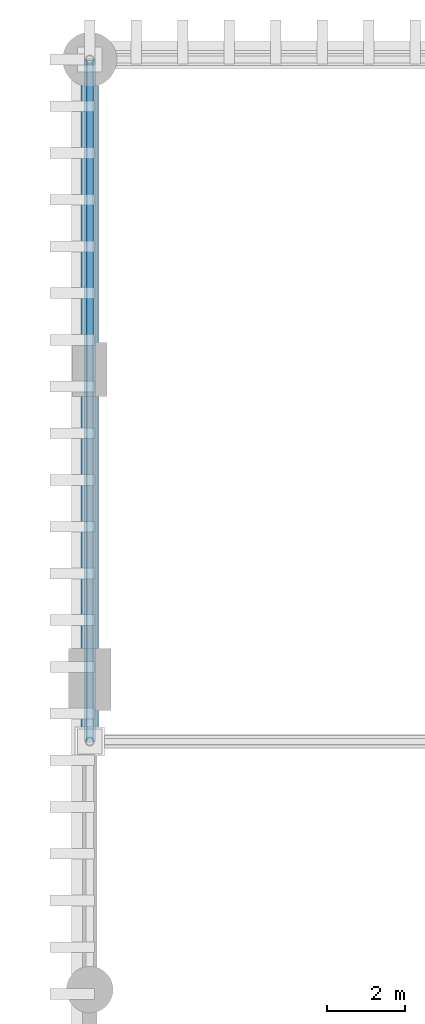
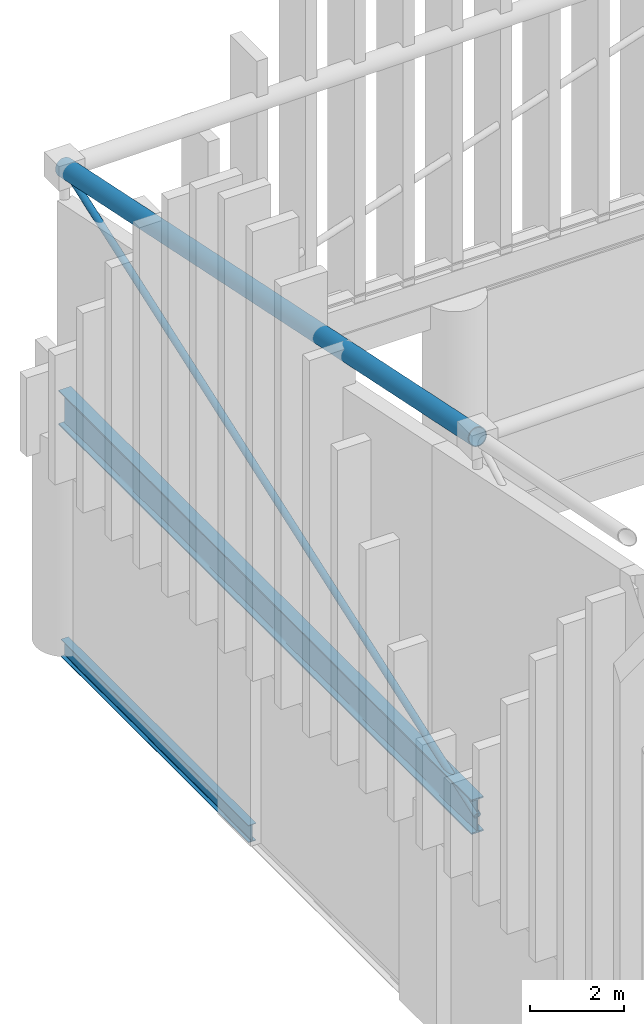
# One storey, part 122 of 193: 2 beams, 2 members.
"""IFC4 building model written with IfcOpenShell, lengths in metres."""

from ifc_helpers import new_model, si_unit, direction, frame, origin, origin_2d, place, context, subcontext, project, spatial, hollow_circle, i_section, extrude, material, material_profile, profile_set, type_object, element, save


model = new_model("IFC4")

# Units and contexts
model_context = context("Model", 3, precision=1e-05, world=origin(), true_north=direction((0.0, 1.0)))
body_context = subcontext(model_context, "Body", "Model", "MODEL_VIEW")
ifc_project = project(units=[si_unit("LENGTHUNIT", "METRE"), si_unit("AREAUNIT", "SQUARE_METRE"), si_unit("VOLUMEUNIT", "CUBIC_METRE"), si_unit("PLANEANGLEUNIT", "RADIAN"), si_unit("MASSUNIT", "GRAM", prefix="KILO")], contexts=[model_context])

# Site, building, storey
site_placement = place(None, origin())
site = spatial("IfcSite", under=ifc_project, at=site_placement, CompositionType="ELEMENT")
building_placement = place(site_placement, origin())
building = spatial("IfcBuilding", under=site, at=building_placement, Name="Danafjord Basin Convention Centre", CompositionType="ELEMENT")
storey_placement = place(building_placement, frame((0.0, 0.0, 11.39990234375)))
storey = spatial("IfcBuildingStorey", under=building, at=storey_placement, Name="L02", CompositionType="ELEMENT", Elevation=11.39990234375)

# Beams
ifc_material = material(Name="Steel S355", Category="steel")
ifc_material_profile_1 = material_profile(ifc_material, i_section(OverallWidth=0.300048828125, OverallDepth=0.89990234375, WebThickness=0.0185546875, FlangeThickness=0.034912109375, FilletRadius=0.030029296875, at=origin_2d()), Name="HEB 900")
ifc_profile_set_1 = profile_set([ifc_material_profile_1], Name="Steel S355")
beam_type_1 = type_object("IfcBeamType", Name="BEAM-BM-HEB900", PredefinedType="BEAM", material=ifc_profile_set_1)
beam_1_placement = place(storey_placement, frame((0.0, 126.39990234375, 6.050048828125), z_axis=(0.0, 1.0, 0.0), x_axis=(-1.0, 0.0, 0.0)))
element("IfcBeam", 1, at=beam_1_placement, inside=storey, type_object=beam_type_1, Name="V1 space-frame perimeter ring girder", PredefinedType="BEAM", context=body_context, shape_type="SweptSolid", body=[
    extrude(i_section(OverallWidth=0.300048828125, OverallDepth=0.89990234375, WebThickness=0.0185546875, FlangeThickness=0.034912109375, FilletRadius=0.030029296875, at=origin_2d()), origin(), (0.0, 0.0, 1.0), 17.60009765625),
])
ifc_material_profile_2 = material_profile(ifc_material, i_section(OverallWidth=0.18994140625, OverallDepth=0.449951171875, WebThickness=0.009521484375, FlangeThickness=0.0146484375, FilletRadius=0.02099609375, at=origin_2d()), Name="IPE 450")
ifc_profile_set_2 = profile_set([ifc_material_profile_2], Name="Steel S355")
beam_type_2 = type_object("IfcBeamType", Name="BEAM-SP-IPE450", PredefinedType="SPANDREL", material=ifc_profile_set_2)
beam_2_placement = place(storey_placement, frame((0.0, 136.0, -0.224853515625), z_axis=(0.0, 1.0, 0.0), x_axis=(-1.0, 0.0, 0.0)))
element("IfcBeam", 2, at=beam_2_placement, inside=storey, type_object=beam_type_2, Name="L02 transverse girder SP-IPE450", PredefinedType="SPANDREL", context=body_context, shape_type="SweptSolid", body=[
    extrude(i_section(OverallWidth=0.18994140625, OverallDepth=0.449951171875, WebThickness=0.009521484375, FlangeThickness=0.0146484375, FilletRadius=0.02099609375, at=origin_2d()), origin(), (0.0, 0.0, 1.0), 8.0),
])

# Members
ifc_material_profile_3 = material_profile(ifc_material, hollow_circle(Radius=0.228515625, WallThickness=0.02001953125, at=origin_2d()), Name="CHS 457.0x20.0")
ifc_profile_set_3 = profile_set([ifc_material_profile_3], Name="Steel S355")
member_type_1 = type_object("IfcMemberType", Name="MEM-CH-CHS457", PredefinedType="CHORD", material=ifc_profile_set_3)
member_1_placement = place(storey_placement, frame((0.0, 126.39990234375, 15.910888671875), z_axis=(0.0, 0.979044772718, -0.203645115368), x_axis=(-1.0, 0.0, 0.0)))
element("IfcMember", 3, at=member_1_placement, inside=storey, type_object=member_type_1, Name="V1 roof truss transverse top chord", PredefinedType="CHORD", context=body_context, shape_type="SweptSolid", body=[
    extrude(hollow_circle(Radius=0.228515625, WallThickness=0.02001953125, at=origin_2d()), origin(), (0.0, 0.0, 1.0), 17.976806640625),
])
ifc_material_profile_4 = material_profile(ifc_material, hollow_circle(Radius=0.084228515625, WallThickness=0.008056640625, at=origin_2d()), Name="CHS 168.3x8.0")
ifc_profile_set_4 = profile_set([ifc_material_profile_4], Name="Steel S355")
member_type_2 = type_object("IfcMemberType", Name="MEM-WB-CHS168", PredefinedType="MEMBER", material=ifc_profile_set_4)
member_2_placement = place(storey_placement, frame((0.0, 126.39990234375, 6.050048828125), z_axis=(0.0, 0.943189436311, 0.33225545478), x_axis=(-1.0, 0.0, 0.0)))
element("IfcMember", 4, at=member_2_placement, inside=storey, type_object=member_type_2, Name="V1 space-frame transverse web", PredefinedType="MEMBER", context=body_context, shape_type="SweptSolid", body=[
    extrude(hollow_circle(Radius=0.084228515625, WallThickness=0.008056640625, at=origin_2d()), origin(), (0.0, 0.0, 1.0), 18.66015625),
])

save(model, "model.ifc")
